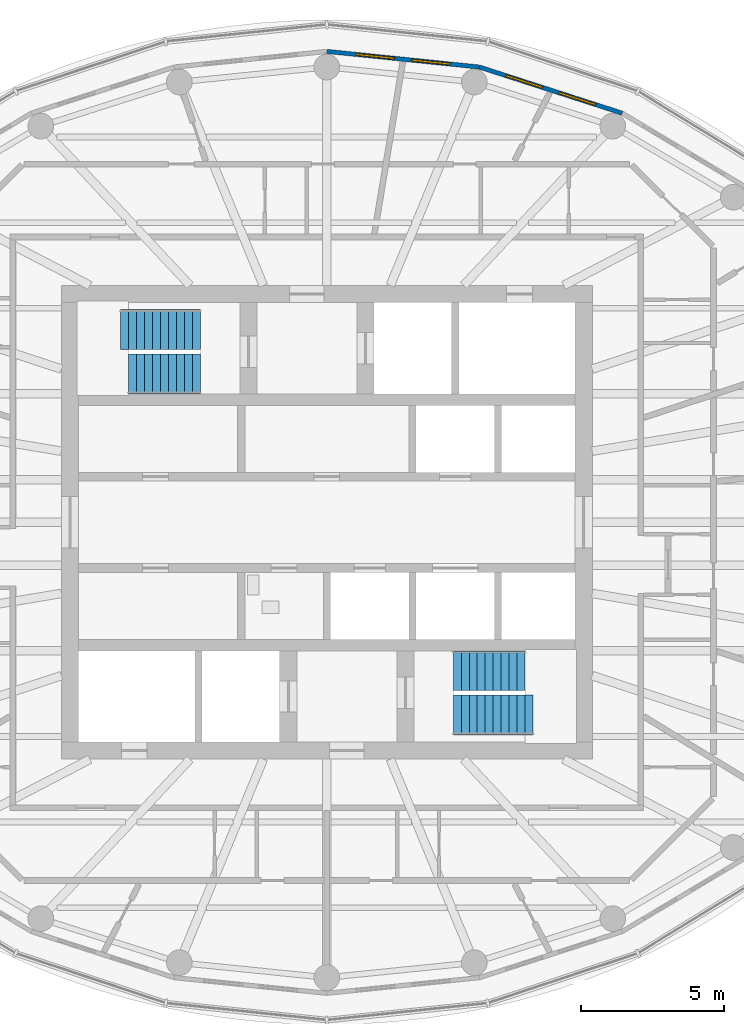
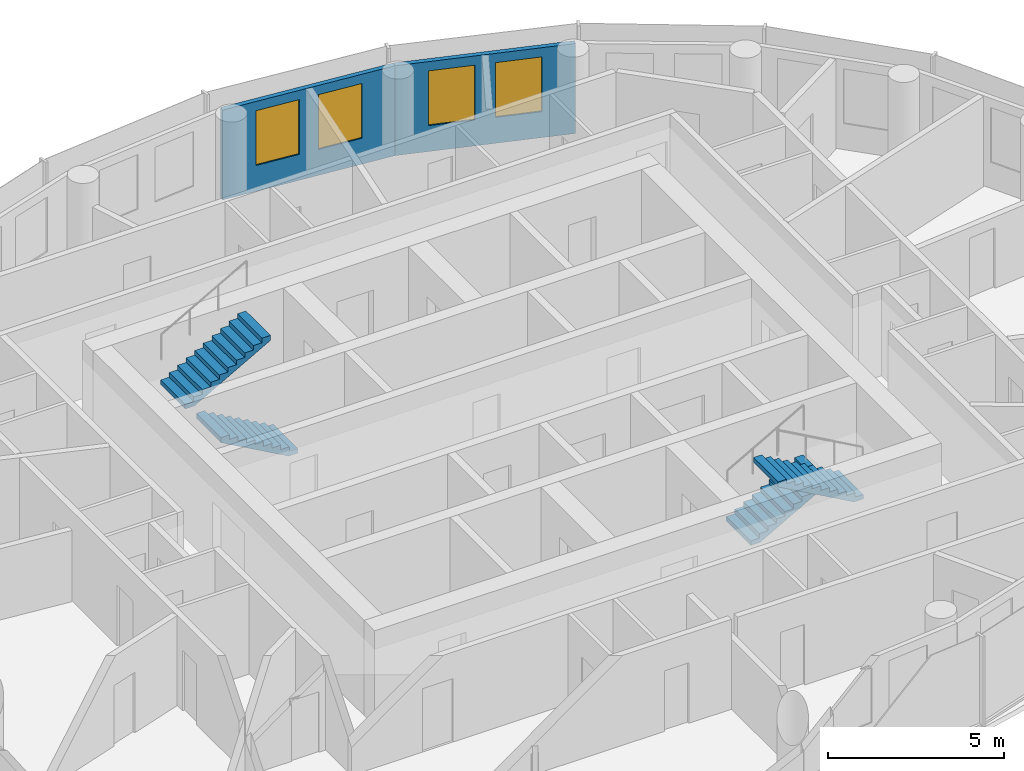
# One storey, part 10 of 12: 4 stair flights, 4 windows, 2 walls, 4 openings, 2 elements without a shape of their own.
"""IFC4 building model written with IfcOpenShell, lengths in metres."""

from ifc_helpers import new_model, si_unit, direction, frame, frame_2d, origin, place, context, subcontext, project, spatial, polyline, rectangle, outline, extrude, material, layer, layer_set, type_object, element, fill, aggregate, save


model = new_model("IFC4")

# Units and contexts
model_context = context("Model", 3, precision=1e-05, world=origin(), true_north=direction((0.0, 1.0)))
body_context = subcontext(model_context, "Body", "Model", "MODEL_VIEW")
ifc_project = project(units=[si_unit("LENGTHUNIT", "METRE"), si_unit("AREAUNIT", "SQUARE_METRE"), si_unit("VOLUMEUNIT", "CUBIC_METRE"), si_unit("PLANEANGLEUNIT", "RADIAN"), si_unit("MASSUNIT", "GRAM", prefix="KILO")], contexts=[model_context])

# Site, building, storey
site_placement = place(None, origin())
site = spatial("IfcSite", under=ifc_project, at=site_placement, CompositionType="ELEMENT")
building_placement = place(site_placement, origin())
building = spatial("IfcBuilding", under=site, at=building_placement, Name="Hankou Lantern Tower", CompositionType="ELEMENT")
storey_placement = place(building_placement, frame((0.0, 0.0, 216.0)))
storey = spatial("IfcBuildingStorey", under=building, at=storey_placement, Name="L58", CompositionType="ELEMENT", Elevation=216.0)

# Wall, openings, windows
ifc_material_1 = material(Name="Aluminium spandrel panel on steel studs", Category="steel")
ifc_layer = layer(ifc_material_1, 0.14990234375)
ifc_layer_set = layer_set([ifc_layer], Name="Aluminium spandrel panel on steel studs")
wall_type = type_object("IfcWallType", Name="EW1 INNER SKIN WALL 150", PredefinedType="ELEMENTEDWALL", material=ifc_layer_set)
wall_1_placement = place(storey_placement, frame((10.346435546875, 14.33642578125, 0.0), z_axis=(0.0, 0.0, 1.0), x_axis=(-0.951644702515, 0.307200846638, 0.0)))
wall_1 = element("IfcWall", 1, at=wall_1_placement, inside=storey, type_object=wall_type, Name="Inner skin R05-R06 L58", PredefinedType="ELEMENTEDWALL", context=body_context, shape_type="SweptSolid", body=[
    extrude(rectangle(XDim=5.2578125, YDim=0.14990234375, at=frame_2d((2.62890625, 0.0))), origin(), (0.0, 0.0, 1.0), 3.1201171875),
])
opening_1_placement = place(wall_1_placement, frame((0.97900390625, 0.0, 0.89990234375)))
opening_1 = element("IfcOpeningElement", 2, at=opening_1_placement, cuts=wall_1, Name="Opening W4", PredefinedType="OPENING", context=body_context, shape_type="SweptSolid", body=[
    extrude(rectangle(XDim=1.35009765625, YDim=1.89990234375, at=frame_2d((0.675048828125, 0.949951171875))), frame((0.0, 0.0849609375, 0.0), z_axis=(0.0, -1.0, 0.0), x_axis=(1.0, 0.0, 0.0)), (0.0, 0.0, 1.0), 0.169921875),
])
opening_2_placement = place(wall_1_placement, frame((2.928955078125, 0.0, 0.89990234375)))
opening_2 = element("IfcOpeningElement", 3, at=opening_2_placement, cuts=wall_1, Name="Opening W4", PredefinedType="OPENING", context=body_context, shape_type="SweptSolid", body=[
    extrude(rectangle(XDim=1.35009765625, YDim=1.89990234375, at=frame_2d((0.675048828125, 0.949951171875))), frame((0.0, 0.0849609375, 0.0), z_axis=(0.0, -1.0, 0.0), x_axis=(1.0, 0.0, 0.0)), (0.0, 0.0, 1.0), 0.169921875),
])
ifc_material_2 = material(Name="Aluminium framed double glazed window", Category="aluminium")
window_type = type_object("IfcWindowType", Name="W4 SUITE WINDOW 1350X1900", PartitioningType="DOUBLE_PANEL_VERTICAL", PredefinedType="WINDOW", material=ifc_material_2)
window_1_placement = place(opening_1_placement, origin())
window_1 = element("IfcWindow", 4, at=window_1_placement, inside=storey, type_object=window_type, Name="Window R05.1 L58", OverallHeight=1.89990234375, OverallWidth=1.35009765625, PartitioningType="SINGLE_PANEL", PredefinedType="WINDOW", context=body_context, shape_type="SweptSolid", body=[
    extrude(rectangle(XDim=1.35009765625, YDim=1.89990234375, at=frame_2d((0.675048828125, 0.949951171875))), frame((0.0, 0.030029296875, 0.0), z_axis=(0.0, -1.0, 0.0), x_axis=(1.0, 0.0, 0.0)), (0.0, 0.0, 1.0), 0.06005859375),
])
fill(opening_1, window_1)
window_2_placement = place(opening_2_placement, origin())
window_2 = element("IfcWindow", 5, at=window_2_placement, inside=storey, type_object=window_type, Name="Window R05.2 L58", OverallHeight=1.89990234375, OverallWidth=1.35009765625, PartitioningType="SINGLE_PANEL", PredefinedType="WINDOW", context=body_context, shape_type="SweptSolid", body=[
    extrude(rectangle(XDim=1.35009765625, YDim=1.89990234375, at=frame_2d((0.675048828125, 0.949951171875))), frame((0.0, 0.030029296875, 0.0), z_axis=(0.0, -1.0, 0.0), x_axis=(1.0, 0.0, 0.0)), (0.0, 0.0, 1.0), 0.06005859375),
])
fill(opening_2, window_2)

wall_2_placement = place(storey_placement, frame((5.3427734375, 15.95166015625, 0.0), z_axis=(0.0, 0.0, 1.0), x_axis=(-0.994774574972, 0.102095763818, 0.0)))
wall_2 = element("IfcWall", 6, at=wall_2_placement, inside=storey, type_object=wall_type, Name="Inner skin R06-R07 L58", PredefinedType="ELEMENTEDWALL", context=body_context, shape_type="SweptSolid", body=[
    extrude(rectangle(XDim=5.370849609375, YDim=0.14990234375, at=frame_2d((2.685546875, 0.0))), origin(), (0.0, 0.0, 1.0), 3.1201171875),
])
opening_3_placement = place(wall_2_placement, frame((1.035400390625, 0.0, 0.89990234375)))
opening_3 = element("IfcOpeningElement", 7, at=opening_3_placement, cuts=wall_2, Name="Opening W4", PredefinedType="OPENING", context=body_context, shape_type="SweptSolid", body=[
    extrude(rectangle(XDim=1.35009765625, YDim=1.89990234375, at=frame_2d((0.675048828125, 0.949951171875))), frame((0.0, 0.0849609375, 0.0), z_axis=(0.0, -1.0, 0.0), x_axis=(1.0, 0.0, 0.0)), (0.0, 0.0, 1.0), 0.169921875),
])
opening_4_placement = place(wall_2_placement, frame((2.9853515625, 0.0, 0.89990234375)))
opening_4 = element("IfcOpeningElement", 8, at=opening_4_placement, cuts=wall_2, Name="Opening W4", PredefinedType="OPENING", context=body_context, shape_type="SweptSolid", body=[
    extrude(rectangle(XDim=1.35009765625, YDim=1.89990234375, at=frame_2d((0.675048828125, 0.949951171875))), frame((0.0, 0.0849609375, 0.0), z_axis=(0.0, -1.0, 0.0), x_axis=(1.0, 0.0, 0.0)), (0.0, 0.0, 1.0), 0.169921875),
])
window_3_placement = place(opening_3_placement, origin())
window_3 = element("IfcWindow", 9, at=window_3_placement, inside=storey, type_object=window_type, Name="Window R06.1 L58", OverallHeight=1.89990234375, OverallWidth=1.35009765625, PartitioningType="SINGLE_PANEL", PredefinedType="WINDOW", context=body_context, shape_type="SweptSolid", body=[
    extrude(rectangle(XDim=1.35009765625, YDim=1.89990234375, at=frame_2d((0.675048828125, 0.949951171875))), frame((0.0, 0.030029296875, 0.0), z_axis=(0.0, -1.0, 0.0), x_axis=(1.0, 0.0, 0.0)), (0.0, 0.0, 1.0), 0.06005859375),
])
fill(opening_3, window_3)
window_4_placement = place(opening_4_placement, origin())
window_4 = element("IfcWindow", 10, at=window_4_placement, inside=storey, type_object=window_type, Name="Window R06.2 L58", OverallHeight=1.89990234375, OverallWidth=1.35009765625, PartitioningType="SINGLE_PANEL", PredefinedType="WINDOW", context=body_context, shape_type="SweptSolid", body=[
    extrude(rectangle(XDim=1.35009765625, YDim=1.89990234375, at=frame_2d((0.675048828125, 0.949951171875))), frame((0.0, 0.030029296875, 0.0), z_axis=(0.0, -1.0, 0.0), x_axis=(1.0, 0.0, 0.0)), (0.0, 0.0, 1.0), 0.06005859375),
])
fill(opening_4, window_4)

# Stair, stair flight
ifc_material_3 = material(Name="Concrete C40", Category="concrete")
stair_type = type_object("IfcStairType", Name="ST33 CORE STAIR 3300 RISE", PredefinedType="HALF_TURN_STAIR", material=ifc_material_3)
stair_1_placement = place(storey_placement, origin())
stair_1 = element("IfcStair", 11, at=stair_1_placement, inside=storey, type_object=stair_type, Name="Stair STA L58", PredefinedType="HALF_TURN_STAIR")
ifc_material_4 = material(Name="Concrete C40", Category="concrete")
stair_flight_type_1 = type_object("IfcStairFlightType", Name="CF10 CORE STAIR FLIGHT 1400 X 10 RISERS", PredefinedType="STRAIGHT", material=ifc_material_4)
stair_flight_1_placement = place(storey_placement, frame((-4.429931640625, 5.199951171875, 0.0), z_axis=(0.0, 0.0, 1.0), x_axis=(-1.0, 0.0, 0.0)))
stair_flight_1 = element("IfcStairFlight", 12, at=stair_flight_1_placement, type_object=stair_flight_type_1, Name="STA flight 1", NumberOfRisers=10, NumberOfTreads=9, PredefinedType="STRAIGHT", RiserHeight=0.157142857, TreadLength=0.28, context=body_context, shape_type="SweptSolid", body=[
    extrude(outline(polyline([(0.0, 0.0), (0.0, 0.1572265625), (0.280029296875, 0.1572265625), (0.280029296875, 0.314208984375), (0.56005859375, 0.314208984375), (0.56005859375, 0.471435546875), (0.840087890625, 0.471435546875), (0.840087890625, 0.628662109375), (1.1201171875, 0.628662109375), (1.1201171875, 0.78564453125), (1.39990234375, 0.78564453125), (1.39990234375, 0.94287109375), (1.679931640625, 0.94287109375), (1.679931640625, 1.10009765625), (1.9599609375, 1.10009765625), (1.9599609375, 1.257080078125), (2.239990234375, 1.257080078125), (2.239990234375, 1.414306640625), (2.52001953125, 1.414306640625), (2.52001953125, 1.571533203125), (2.52001953125, 1.242431640625), (0.306396484375, 0.0), (0.0, 0.0)])), frame((0.0, 0.699951171875, 0.0), z_axis=(0.0, -1.0, 0.0), x_axis=(1.0, 0.0, 0.0)), (0.0, 0.0, 1.0), 1.39990234375),
])

stair_2_placement = place(storey_placement, origin())
stair_2 = element("IfcStair", 13, at=stair_2_placement, inside=storey, type_object=stair_type, Name="Stair STB L58", PredefinedType="HALF_TURN_STAIR")
stair_flight_2_placement = place(storey_placement, frame((4.429931640625, -5.199951171875, 0.0), z_axis=(0.0, 0.0, 1.0), x_axis=(1.0, 0.0, 0.0)))
stair_flight_2 = element("IfcStairFlight", 14, at=stair_flight_2_placement, type_object=stair_flight_type_1, Name="STB flight 1", NumberOfRisers=10, NumberOfTreads=9, PredefinedType="STRAIGHT", RiserHeight=0.157142857, TreadLength=0.28, context=body_context, shape_type="SweptSolid", body=[
    extrude(outline(polyline([(0.0, 0.0), (0.0, 0.1572265625), (0.280029296875, 0.1572265625), (0.280029296875, 0.314208984375), (0.56005859375, 0.314208984375), (0.56005859375, 0.471435546875), (0.840087890625, 0.471435546875), (0.840087890625, 0.628662109375), (1.1201171875, 0.628662109375), (1.1201171875, 0.78564453125), (1.39990234375, 0.78564453125), (1.39990234375, 0.94287109375), (1.679931640625, 0.94287109375), (1.679931640625, 1.10009765625), (1.9599609375, 1.10009765625), (1.9599609375, 1.257080078125), (2.239990234375, 1.257080078125), (2.239990234375, 1.414306640625), (2.52001953125, 1.414306640625), (2.52001953125, 1.571533203125), (2.52001953125, 1.242431640625), (0.306396484375, 0.0), (0.0, 0.0)])), frame((0.0, 0.699951171875, 0.0), z_axis=(0.0, -1.0, 0.0), x_axis=(1.0, 0.0, 0.0)), (0.0, 0.0, 1.0), 1.39990234375),
])

# Stair flight
ifc_material_5 = material(Name="Concrete C40", Category="concrete")
stair_flight_type_2 = type_object("IfcStairFlightType", Name="CF11 CORE STAIR FLIGHT 1400 X 11 RISERS", PredefinedType="STRAIGHT", material=ifc_material_5)
stair_flight_3_placement = place(storey_placement, frame((-7.22998046875, 6.75, 1.571533203125), z_axis=(0.0, 0.0, 1.0), x_axis=(1.0, 0.0, 0.0)))
stair_flight_3 = element("IfcStairFlight", 15, at=stair_flight_3_placement, type_object=stair_flight_type_2, Name="STA flight 2", NumberOfRisers=11, NumberOfTreads=10, PredefinedType="STRAIGHT", RiserHeight=0.157142857, TreadLength=0.28, context=body_context, shape_type="SweptSolid", body=[
    extrude(outline(polyline([(0.0, 0.0), (0.0, 0.1572265625), (0.280029296875, 0.1572265625), (0.280029296875, 0.314208984375), (0.56005859375, 0.314208984375), (0.56005859375, 0.471435546875), (0.840087890625, 0.471435546875), (0.840087890625, 0.628662109375), (1.1201171875, 0.628662109375), (1.1201171875, 0.78564453125), (1.39990234375, 0.78564453125), (1.39990234375, 0.94287109375), (1.679931640625, 0.94287109375), (1.679931640625, 1.10009765625), (1.9599609375, 1.10009765625), (1.9599609375, 1.257080078125), (2.239990234375, 1.257080078125), (2.239990234375, 1.414306640625), (2.52001953125, 1.414306640625), (2.52001953125, 1.571533203125), (2.800048828125, 1.571533203125), (2.800048828125, 1.728515625), (2.800048828125, 1.3994140625), (0.306396484375, 0.0), (0.0, 0.0)])), frame((0.0, 0.699951171875, 0.0), z_axis=(0.0, -1.0, 0.0), x_axis=(1.0, 0.0, 0.0)), (0.0, 0.0, 1.0), 1.39990234375),
])

aggregate(stair_1, [stair_flight_1, stair_flight_3])

stair_flight_4_placement = place(storey_placement, frame((7.22998046875, -6.75, 1.571533203125), z_axis=(0.0, 0.0, 1.0), x_axis=(-1.0, 0.0, 0.0)))
stair_flight_4 = element("IfcStairFlight", 16, at=stair_flight_4_placement, type_object=stair_flight_type_2, Name="STB flight 2", NumberOfRisers=11, NumberOfTreads=10, PredefinedType="STRAIGHT", RiserHeight=0.157142857, TreadLength=0.28, context=body_context, shape_type="SweptSolid", body=[
    extrude(outline(polyline([(0.0, 0.0), (0.0, 0.1572265625), (0.280029296875, 0.1572265625), (0.280029296875, 0.314208984375), (0.56005859375, 0.314208984375), (0.56005859375, 0.471435546875), (0.840087890625, 0.471435546875), (0.840087890625, 0.628662109375), (1.1201171875, 0.628662109375), (1.1201171875, 0.78564453125), (1.39990234375, 0.78564453125), (1.39990234375, 0.94287109375), (1.679931640625, 0.94287109375), (1.679931640625, 1.10009765625), (1.9599609375, 1.10009765625), (1.9599609375, 1.257080078125), (2.239990234375, 1.257080078125), (2.239990234375, 1.414306640625), (2.52001953125, 1.414306640625), (2.52001953125, 1.571533203125), (2.800048828125, 1.571533203125), (2.800048828125, 1.728515625), (2.800048828125, 1.3994140625), (0.306396484375, 0.0), (0.0, 0.0)])), frame((0.0, 0.699951171875, 0.0), z_axis=(0.0, -1.0, 0.0), x_axis=(1.0, 0.0, 0.0)), (0.0, 0.0, 1.0), 1.39990234375),
])

aggregate(stair_2, [stair_flight_2, stair_flight_4])

save(model, "model.ifc")
